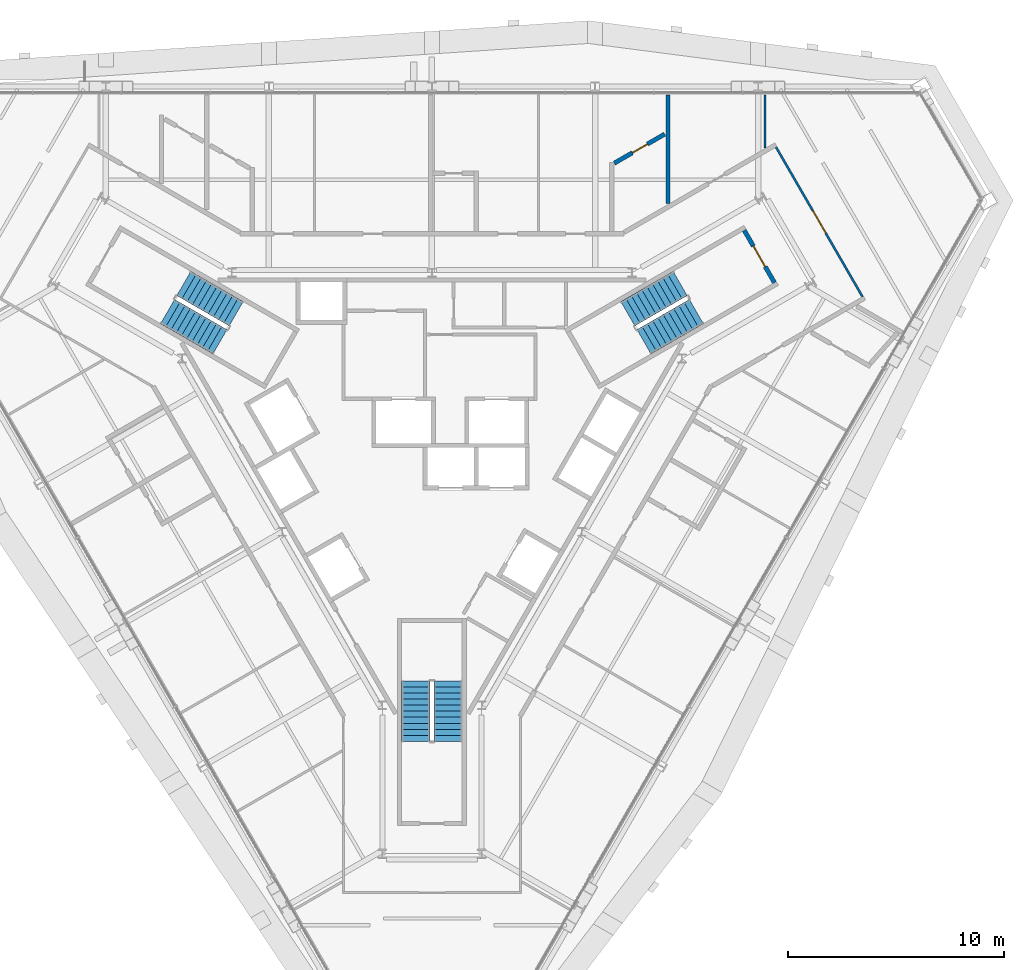
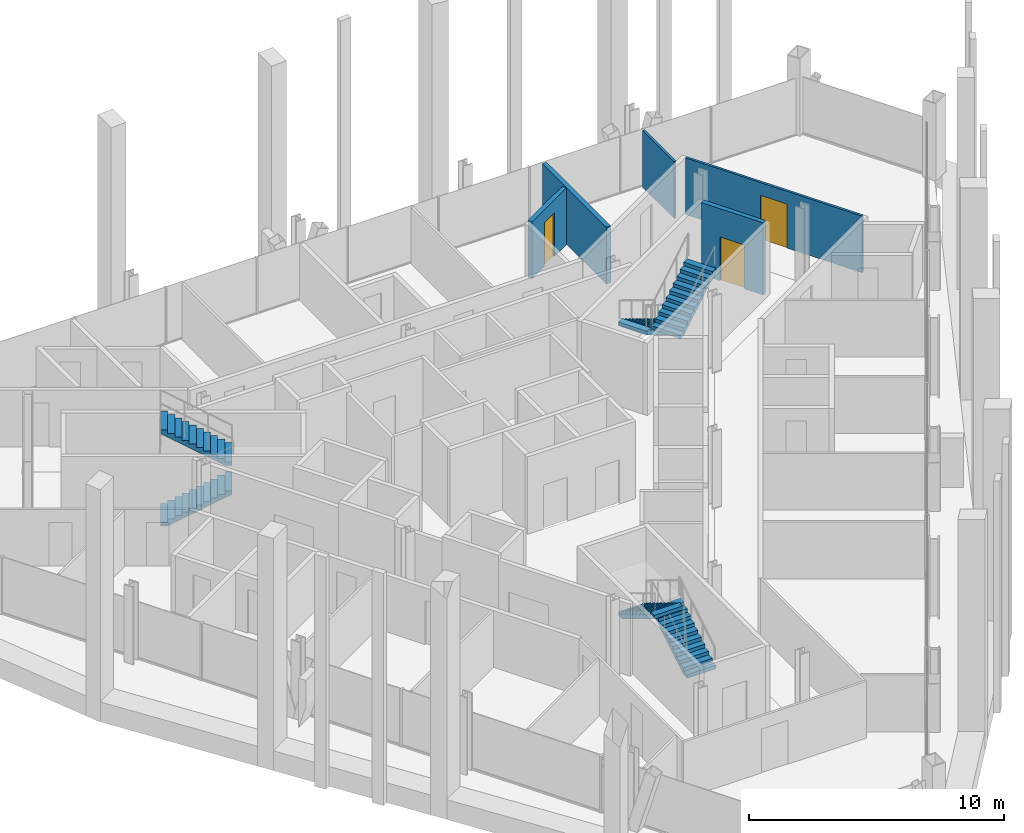
# One storey, part 12 of 14: 6 stair flights, 5 walls, 3 doors, 3 openings, 3 elements without a shape of their own.
"""IFC4 building model written with IfcOpenShell, lengths in metres."""

from ifc_helpers import new_model, si_unit, direction, frame, frame_2d, origin, place, context, subcontext, project, spatial, polyline, rectangle, outline, extrude, material, layer, layer_set, type_object, element, fill, aggregate, save


model = new_model("IFC4")

# Units and contexts
model_context = context("Model", 3, precision=1e-05, world=origin(), true_north=direction((0.0, 1.0)))
body_context = subcontext(model_context, "Body", "Model", "MODEL_VIEW")
ifc_project = project(units=[si_unit("LENGTHUNIT", "METRE"), si_unit("AREAUNIT", "SQUARE_METRE"), si_unit("VOLUMEUNIT", "CUBIC_METRE"), si_unit("PLANEANGLEUNIT", "RADIAN"), si_unit("MASSUNIT", "GRAM", prefix="KILO")], contexts=[model_context])

# Site, building, storey
site_placement = place(None, origin())
site = spatial("IfcSite", under=ifc_project, at=site_placement, CompositionType="ELEMENT")
building_placement = place(site_placement, origin())
building = spatial("IfcBuilding", under=site, at=building_placement, Name="Verrane Prism Tower", CompositionType="ELEMENT")
storey_placement = place(building_placement, frame((0.0, 0.0, 148.800048828125)))
storey = spatial("IfcBuildingStorey", under=building, at=storey_placement, Name="L36", CompositionType="ELEMENT", Elevation=148.800048828125)

# Wall, opening, door
ifc_material_1 = material(Name="Concrete C40/50", Category="concrete")
ifc_layer_1 = layer(ifc_material_1, 0.199951171875)
ifc_layer_set_1 = layer_set([ifc_layer_1], Name="CW-200 stair core wall concrete C40/50 3 h")
wall_type_1 = type_object("IfcWallType", Name="CW-200 stair core wall concrete C40/50 3 h", PredefinedType="PARTITIONING", material=ifc_layer_set_1)
wall_1_placement = place(storey_placement, frame((15.85546875, 7.53759765625, 0.0), z_axis=(0.0, 0.0, 1.0), x_axis=(-0.500049511043, 0.865996816683, 0.0)))
wall_1 = element("IfcWall", 1, at=wall_1_placement, inside=storey, type_object=wall_type_1, Name="Stair 1 enclosure wall", PredefinedType="PARTITIONING", context=body_context, shape_type="SweptSolid", body=[
    extrude(rectangle(XDim=2.800048828125, YDim=0.199951171875, at=frame_2d((1.39990234375, 0.0))), origin(), (0.0, 0.0, 1.0), 3.449951171875),
])
opening_1_placement = place(wall_1_placement, frame((0.849853515625, 0.0, 0.0)))
opening_1 = element("IfcOpeningElement", 2, at=opening_1_placement, cuts=wall_1, Name="Opening D36500", PredefinedType="OPENING", context=body_context, shape_type="SweptSolid", body=[
    extrude(rectangle(XDim=1.10009765625, YDim=2.10009765625, at=frame_2d((0.550048828125, 1.050048828125))), frame((0.0, 0.10986328125, 0.0), z_axis=(0.0, -1.0, 0.0), x_axis=(1.0, 0.0, 0.0)), (0.0, 0.0, 1.0), 0.219970703125),
])
ifc_material_2 = material(Name="Timber veneered door leaf", Category="wood")
door_type_1 = type_object("IfcDoorType", Name="DR-1100x2100 FD90 single leaf stair", OperationType="NOTDEFINED", PredefinedType="DOOR", material=ifc_material_2)
door_1_placement = place(opening_1_placement, origin())
door_1 = element("IfcDoor", 3, at=door_1_placement, inside=storey, type_object=door_type_1, Name="Stair 1 door", OperationType="SINGLE_SWING_LEFT", OverallHeight=2.10009765625, OverallWidth=1.10009765625, PredefinedType="DOOR", context=body_context, shape_type="SweptSolid", body=[
    extrude(rectangle(XDim=1.10009765625, YDim=2.10009765625, at=frame_2d((0.550048828125, 1.050048828125))), frame((0.0, 0.02490234375, 0.0), z_axis=(0.0, -1.0, 0.0), x_axis=(1.0, 0.0, 0.0)), (0.0, 0.0, 1.0), 0.050048828125),
])
fill(opening_1, door_1)

# Wall
ifc_material_3 = material(Name="Gypsum board partition", Category="other")
ifc_layer_2 = layer(ifc_material_3, 0.10009765625)
ifc_layer_set_2 = layer_set([ifc_layer_2], Name="PW-100 room partition")
wall_type_2 = type_object("IfcWallType", Name="PW-100 room partition", PredefinedType="PARTITIONING", material=ifc_layer_set_2)
wall_2_placement = place(storey_placement, frame((15.4130859375, 13.7744140625, 0.0), z_axis=(0.0, 0.0, 1.0), x_axis=(0.0, 1.0, 0.0)))
element("IfcWall", 4, at=wall_2_placement, inside=storey, type_object=wall_type_2, Name="Room partition 046", PredefinedType="PARTITIONING", context=body_context, shape_type="SweptSolid", body=[
    extrude(rectangle(XDim=2.460693359375, YDim=0.10009765625, at=frame_2d((1.23046875, 0.0))), origin(), (0.0, 0.0, 1.0), 2.712890625),
])

# Wall, opening, door
wall_3_placement = place(storey_placement, frame((15.927978515625, 13.8115234375, 0.0), z_axis=(0.0, 0.0, 1.0), x_axis=(0.500420003794, -0.865782778648, 0.0)))
wall_3 = element("IfcWall", 5, at=wall_3_placement, inside=storey, type_object=wall_type_2, Name="Room partition 047", PredefinedType="PARTITIONING", context=body_context, shape_type="SweptSolid", body=[
    extrude(rectangle(XDim=7.9970703125, YDim=0.10009765625, at=frame_2d((3.99853515625, 0.0))), origin(), (0.0, 0.0, 1.0), 2.712890625),
])
opening_2_placement = place(wall_3_placement, frame((3.39990234375, 0.0, 0.0)))
opening_2 = element("IfcOpeningElement", 6, at=opening_2_placement, cuts=wall_3, Name="Opening D36009", PredefinedType="OPENING", context=body_context, shape_type="SweptSolid", body=[
    extrude(rectangle(XDim=1.199951171875, YDim=2.10009765625, at=frame_2d((0.60009765625, 1.050048828125))), frame((0.0, 0.06005859375, 0.0), z_axis=(0.0, -1.0, 0.0), x_axis=(1.0, 0.0, 0.0)), (0.0, 0.0, 1.0), 0.1201171875),
])
ifc_material_4 = material(Name="Timber veneered door leaf", Category="wood")
door_type_2 = type_object("IfcDoorType", Name="DR-1200x2100 single leaf unit", OperationType="NOTDEFINED", PredefinedType="DOOR", material=ifc_material_4)
door_2_placement = place(opening_2_placement, origin())
door_2 = element("IfcDoor", 7, at=door_2_placement, inside=storey, type_object=door_type_2, Name="Living And Dining Room door", OperationType="SINGLE_SWING_LEFT", OverallHeight=2.10009765625, OverallWidth=1.199951171875, PredefinedType="DOOR", context=body_context, shape_type="SweptSolid", body=[
    extrude(rectangle(XDim=1.199951171875, YDim=2.10009765625, at=frame_2d((0.60009765625, 1.050048828125))), frame((0.0, 0.02490234375, 0.0), z_axis=(0.0, -1.0, 0.0), x_axis=(1.0, 0.0, 0.0)), (0.0, 0.0, 1.0), 0.050048828125),
])
fill(opening_2, door_2)

ifc_material_5 = material(Name="Gypsum board partition", Category="other")
ifc_layer_3 = layer(ifc_material_5, 0.199951171875)
ifc_layer_set_3 = layer_set([ifc_layer_3], Name="PW-200 plumbing wall")
wall_type_3 = type_object("IfcWallType", Name="PW-200 plumbing wall", PredefinedType="PARTITIONING", material=ifc_layer_set_3)
wall_4_placement = place(storey_placement, frame((10.77392578125, 14.41552734375, 0.0), z_axis=(0.0, 0.0, 1.0), x_axis=(-0.866188604127, -0.499717222117, 0.0)))
wall_4 = element("IfcWall", 8, at=wall_4_placement, inside=storey, type_object=wall_type_3, Name="Plumbing wall 035", PredefinedType="PARTITIONING", context=body_context, shape_type="SweptSolid", body=[
    extrude(rectangle(XDim=2.693359375, YDim=0.199951171875, at=frame_2d((1.3466796875, 0.0))), origin(), (0.0, 0.0, 1.0), 2.712890625),
])
opening_3_placement = place(wall_4_placement, frame((0.928466796875, 0.0, 0.0)))
opening_3 = element("IfcOpeningElement", 9, at=opening_3_placement, cuts=wall_4, Name="Opening D36012", PredefinedType="OPENING", context=body_context, shape_type="SweptSolid", body=[
    extrude(rectangle(XDim=0.800048828125, YDim=2.10009765625, at=frame_2d((0.39990234375, 1.050048828125))), frame((0.0, 0.10986328125, 0.0), z_axis=(0.0, -1.0, 0.0), x_axis=(1.0, 0.0, 0.0)), (0.0, 0.0, 1.0), 0.219970703125),
])
ifc_material_6 = material(Name="Timber veneered door leaf", Category="wood")
door_type_3 = type_object("IfcDoorType", Name="DR-800x2100 single leaf bath", OperationType="NOTDEFINED", PredefinedType="DOOR", material=ifc_material_6)
door_3_placement = place(opening_3_placement, origin())
door_3 = element("IfcDoor", 10, at=door_3_placement, inside=storey, type_object=door_type_3, Name="Master Bathroom door", OperationType="SINGLE_SWING_LEFT", OverallHeight=2.10009765625, OverallWidth=0.800048828125, PredefinedType="DOOR", context=body_context, shape_type="SweptSolid", body=[
    extrude(rectangle(XDim=0.800048828125, YDim=2.10009765625, at=frame_2d((0.39990234375, 1.050048828125))), frame((0.0, 0.02490234375, 0.0), z_axis=(0.0, -1.0, 0.0), x_axis=(1.0, 0.0, 0.0)), (0.0, 0.0, 1.0), 0.050048828125),
])
fill(opening_3, door_3)

# Wall
wall_5_placement = place(storey_placement, frame((10.924072265625, 11.212158203125, 0.0), z_axis=(0.0, 0.0, 1.0), x_axis=(0.0, 1.0, 0.0)))
element("IfcWall", 11, at=wall_5_placement, inside=storey, type_object=wall_type_3, Name="Plumbing wall 039", PredefinedType="PARTITIONING", context=body_context, shape_type="SweptSolid", body=[
    extrude(rectangle(XDim=5.02294921875, YDim=0.199951171875, at=frame_2d((2.511474609375, 0.0))), origin(), (0.0, 0.0, 1.0), 2.712890625),
])

# Stair, stair flights
ifc_material_7 = material(Name="Concrete C40/50", Category="concrete")
stair_type = type_object("IfcStairType", Name="Exit stair 1300 dog-leg precast concrete C40/50", PredefinedType="HALF_TURN_STAIR", material=ifc_material_7)
stair_1_placement = place(storey_placement, origin())
stair_1 = element("IfcStair", 12, at=stair_1_placement, inside=storey, type_object=stair_type, Name="Stair 1 L36", PredefinedType="HALF_TURN_STAIR")
ifc_material_8 = material(Name="Concrete C40/50", Category="concrete")
stair_flight_type = type_object("IfcStairFlightType", Name="Stair flight 1300 precast concrete C40/50", PredefinedType="STRAIGHT", material=ifc_material_8)
stair_flight_1_placement = place(storey_placement, frame((11.489501953125, 7.49951171875, 0.0), z_axis=(0.0, 0.0, 1.0), x_axis=(-0.866025403784, -0.5, 0.0)))
stair_flight_1 = element("IfcStairFlight", 13, at=stair_flight_1_placement, type_object=stair_flight_type, Name="Stair 1 flight 1", NumberOfRisers=11, NumberOfTreads=10, PredefinedType="STRAIGHT", RiserHeight=0.168181818, TreadLength=0.28, context=body_context, shape_type="SweptSolid", body=[
    extrude(outline(polyline([(0.0, 0.0), (0.0, 0.168212890625), (0.280029296875, 0.168212890625), (0.280029296875, 0.33642578125), (0.56005859375, 0.33642578125), (0.56005859375, 0.504638671875), (0.840087890625, 0.504638671875), (0.840087890625, 0.672607421875), (1.1201171875, 0.672607421875), (1.1201171875, 0.8408203125), (1.39990234375, 0.8408203125), (1.39990234375, 1.009033203125), (1.679931640625, 1.009033203125), (1.679931640625, 1.17724609375), (1.9599609375, 1.17724609375), (1.9599609375, 1.345458984375), (2.239990234375, 1.345458984375), (2.239990234375, 1.513671875), (2.52001953125, 1.513671875), (2.52001953125, 1.681884765625), (2.800048828125, 1.681884765625), (2.800048828125, 1.85009765625), (2.800048828125, 1.5068359375), (0.291015625, 0.0), (0.0, 0.0)])), frame((0.0, 0.64990234375, 0.0), z_axis=(0.0, -1.0, 0.0), x_axis=(1.0, 0.0, 0.0)), (0.0, 0.0, 1.0), 1.300048828125),
])
stair_flight_2_placement = place(storey_placement, frame((9.814697265625, 4.800537109375, 1.849853515625), z_axis=(0.0, 0.0, 1.0), x_axis=(0.866025403784, 0.5, 0.0)))
stair_flight_2 = element("IfcStairFlight", 14, at=stair_flight_2_placement, type_object=stair_flight_type, Name="Stair 1 flight 2", NumberOfRisers=11, NumberOfTreads=10, PredefinedType="STRAIGHT", RiserHeight=0.168181818, TreadLength=0.28, context=body_context, shape_type="SweptSolid", body=[
    extrude(outline(polyline([(0.0, 0.0), (0.0, 0.168212890625), (0.280029296875, 0.168212890625), (0.280029296875, 0.33642578125), (0.56005859375, 0.33642578125), (0.56005859375, 0.504638671875), (0.840087890625, 0.504638671875), (0.840087890625, 0.672607421875), (1.1201171875, 0.672607421875), (1.1201171875, 0.8408203125), (1.39990234375, 0.8408203125), (1.39990234375, 1.009033203125), (1.679931640625, 1.009033203125), (1.679931640625, 1.17724609375), (1.9599609375, 1.17724609375), (1.9599609375, 1.345458984375), (2.239990234375, 1.345458984375), (2.239990234375, 1.513671875), (2.52001953125, 1.513671875), (2.52001953125, 1.681884765625), (2.800048828125, 1.681884765625), (2.800048828125, 1.85009765625), (2.800048828125, 1.5068359375), (0.291015625, 0.0), (0.0, 0.0)])), frame((0.0, 0.64990234375, 0.0), z_axis=(0.0, -1.0, 0.0), x_axis=(1.0, 0.0, 0.0)), (0.0, 0.0, 1.0), 1.300048828125),
])
aggregate(stair_1, [stair_flight_1, stair_flight_2])

stair_2_placement = place(storey_placement, origin())
stair_2 = element("IfcStair", 15, at=stair_2_placement, inside=storey, type_object=stair_type, Name="Stair 2 L36", PredefinedType="HALF_TURN_STAIR")
stair_flight_3_placement = place(storey_placement, frame((-12.239501953125, 6.200439453125, 0.0), z_axis=(0.0, 0.0, 1.0), x_axis=(0.866025403784, -0.5, 0.0)))
stair_flight_3 = element("IfcStairFlight", 16, at=stair_flight_3_placement, type_object=stair_flight_type, Name="Stair 2 flight 1", NumberOfRisers=11, NumberOfTreads=10, PredefinedType="STRAIGHT", RiserHeight=0.168181818, TreadLength=0.28, context=body_context, shape_type="SweptSolid", body=[
    extrude(outline(polyline([(0.0, 0.0), (0.0, 0.168212890625), (0.280029296875, 0.168212890625), (0.280029296875, 0.33642578125), (0.56005859375, 0.33642578125), (0.56005859375, 0.504638671875), (0.840087890625, 0.504638671875), (0.840087890625, 0.672607421875), (1.1201171875, 0.672607421875), (1.1201171875, 0.8408203125), (1.39990234375, 0.8408203125), (1.39990234375, 1.009033203125), (1.679931640625, 1.009033203125), (1.679931640625, 1.17724609375), (1.9599609375, 1.17724609375), (1.9599609375, 1.345458984375), (2.239990234375, 1.345458984375), (2.239990234375, 1.513671875), (2.52001953125, 1.513671875), (2.52001953125, 1.681884765625), (2.800048828125, 1.681884765625), (2.800048828125, 1.85009765625), (2.800048828125, 1.5068359375), (0.291015625, 0.0), (0.0, 0.0)])), frame((0.0, 0.64990234375, 0.0), z_axis=(0.0, -1.0, 0.0), x_axis=(1.0, 0.0, 0.0)), (0.0, 0.0, 1.0), 1.300048828125),
])
stair_flight_4_placement = place(storey_placement, frame((-9.064697265625, 6.099609375, 1.849853515625), z_axis=(0.0, 0.0, 1.0), x_axis=(-0.866025403784, 0.5, 0.0)))
stair_flight_4 = element("IfcStairFlight", 17, at=stair_flight_4_placement, type_object=stair_flight_type, Name="Stair 2 flight 2", NumberOfRisers=11, NumberOfTreads=10, PredefinedType="STRAIGHT", RiserHeight=0.168181818, TreadLength=0.28, context=body_context, shape_type="SweptSolid", body=[
    extrude(outline(polyline([(0.0, 0.0), (0.0, 0.168212890625), (0.280029296875, 0.168212890625), (0.280029296875, 0.33642578125), (0.56005859375, 0.33642578125), (0.56005859375, 0.504638671875), (0.840087890625, 0.504638671875), (0.840087890625, 0.672607421875), (1.1201171875, 0.672607421875), (1.1201171875, 0.8408203125), (1.39990234375, 0.8408203125), (1.39990234375, 1.009033203125), (1.679931640625, 1.009033203125), (1.679931640625, 1.17724609375), (1.9599609375, 1.17724609375), (1.9599609375, 1.345458984375), (2.239990234375, 1.345458984375), (2.239990234375, 1.513671875), (2.52001953125, 1.513671875), (2.52001953125, 1.681884765625), (2.800048828125, 1.681884765625), (2.800048828125, 1.85009765625), (2.800048828125, 1.5068359375), (0.291015625, 0.0), (0.0, 0.0)])), frame((0.0, 0.64990234375, 0.0), z_axis=(0.0, -1.0, 0.0), x_axis=(1.0, 0.0, 0.0)), (0.0, 0.0, 1.0), 1.300048828125),
])
aggregate(stair_2, [stair_flight_3, stair_flight_4])

stair_3_placement = place(storey_placement, origin())
stair_3 = element("IfcStair", 18, at=stair_3_placement, inside=storey, type_object=stair_type, Name="Stair 3 L36", PredefinedType="HALF_TURN_STAIR")
stair_flight_5_placement = place(storey_placement, frame((0.75, -13.699951171875, 0.0), z_axis=(0.0, 0.0, 1.0), x_axis=(0.0, 1.0, 0.0)))
stair_flight_5 = element("IfcStairFlight", 19, at=stair_flight_5_placement, type_object=stair_flight_type, Name="Stair 3 flight 1", NumberOfRisers=11, NumberOfTreads=10, PredefinedType="STRAIGHT", RiserHeight=0.168181818, TreadLength=0.28, context=body_context, shape_type="SweptSolid", body=[
    extrude(outline(polyline([(0.0, 0.0), (0.0, 0.168212890625), (0.280029296875, 0.168212890625), (0.280029296875, 0.33642578125), (0.56005859375, 0.33642578125), (0.56005859375, 0.504638671875), (0.840087890625, 0.504638671875), (0.840087890625, 0.672607421875), (1.1201171875, 0.672607421875), (1.1201171875, 0.8408203125), (1.39990234375, 0.8408203125), (1.39990234375, 1.009033203125), (1.679931640625, 1.009033203125), (1.679931640625, 1.17724609375), (1.9599609375, 1.17724609375), (1.9599609375, 1.345458984375), (2.239990234375, 1.345458984375), (2.239990234375, 1.513671875), (2.52001953125, 1.513671875), (2.52001953125, 1.681884765625), (2.800048828125, 1.681884765625), (2.800048828125, 1.85009765625), (2.800048828125, 1.5068359375), (0.291015625, 0.0), (0.0, 0.0)])), frame((0.0, 0.64990234375, 0.0), z_axis=(0.0, -1.0, 0.0), x_axis=(1.0, 0.0, 0.0)), (0.0, 0.0, 1.0), 1.300048828125),
])
stair_flight_6_placement = place(storey_placement, frame((-0.75, -10.89990234375, 1.849853515625), z_axis=(0.0, 0.0, 1.0), x_axis=(0.0, -1.0, 0.0)))
stair_flight_6 = element("IfcStairFlight", 20, at=stair_flight_6_placement, type_object=stair_flight_type, Name="Stair 3 flight 2", NumberOfRisers=11, NumberOfTreads=10, PredefinedType="STRAIGHT", RiserHeight=0.168181818, TreadLength=0.28, context=body_context, shape_type="SweptSolid", body=[
    extrude(outline(polyline([(0.0, 0.0), (0.0, 0.168212890625), (0.280029296875, 0.168212890625), (0.280029296875, 0.33642578125), (0.56005859375, 0.33642578125), (0.56005859375, 0.504638671875), (0.840087890625, 0.504638671875), (0.840087890625, 0.672607421875), (1.1201171875, 0.672607421875), (1.1201171875, 0.8408203125), (1.39990234375, 0.8408203125), (1.39990234375, 1.009033203125), (1.679931640625, 1.009033203125), (1.679931640625, 1.17724609375), (1.9599609375, 1.17724609375), (1.9599609375, 1.345458984375), (2.239990234375, 1.345458984375), (2.239990234375, 1.513671875), (2.52001953125, 1.513671875), (2.52001953125, 1.681884765625), (2.800048828125, 1.681884765625), (2.800048828125, 1.85009765625), (2.800048828125, 1.5068359375), (0.291015625, 0.0), (0.0, 0.0)])), frame((0.0, 0.64990234375, 0.0), z_axis=(0.0, -1.0, 0.0), x_axis=(1.0, 0.0, 0.0)), (0.0, 0.0, 1.0), 1.300048828125),
])
aggregate(stair_3, [stair_flight_5, stair_flight_6])

save(model, "model.ifc")
